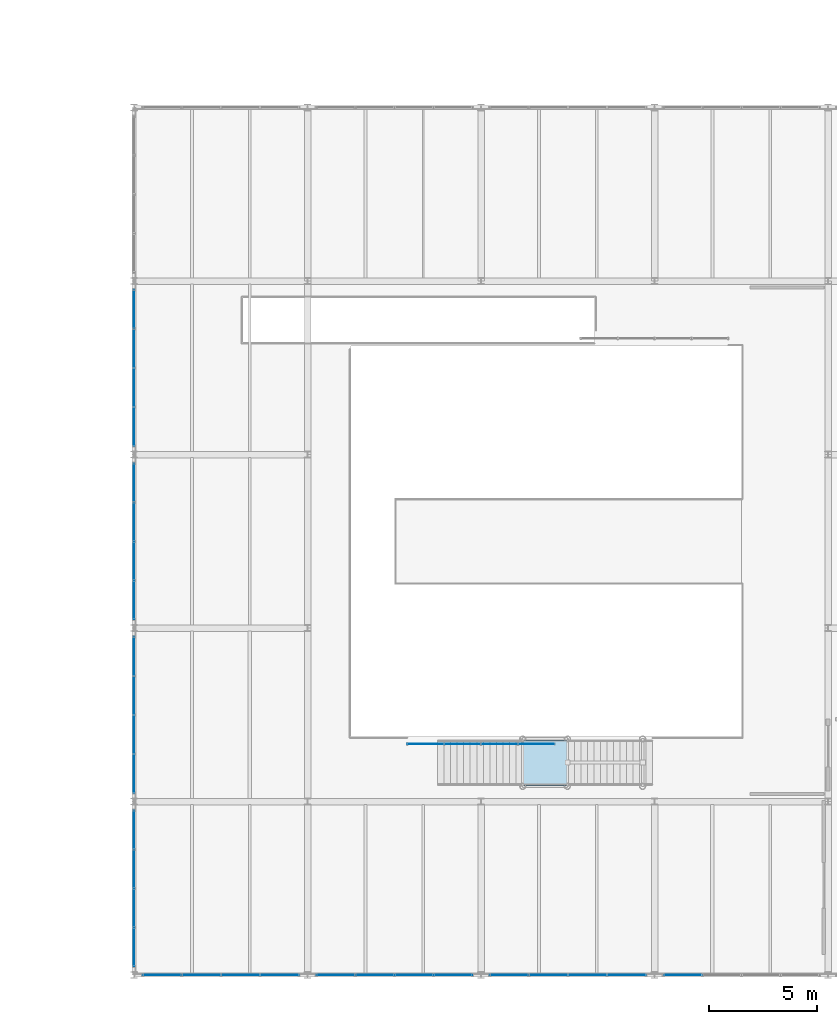
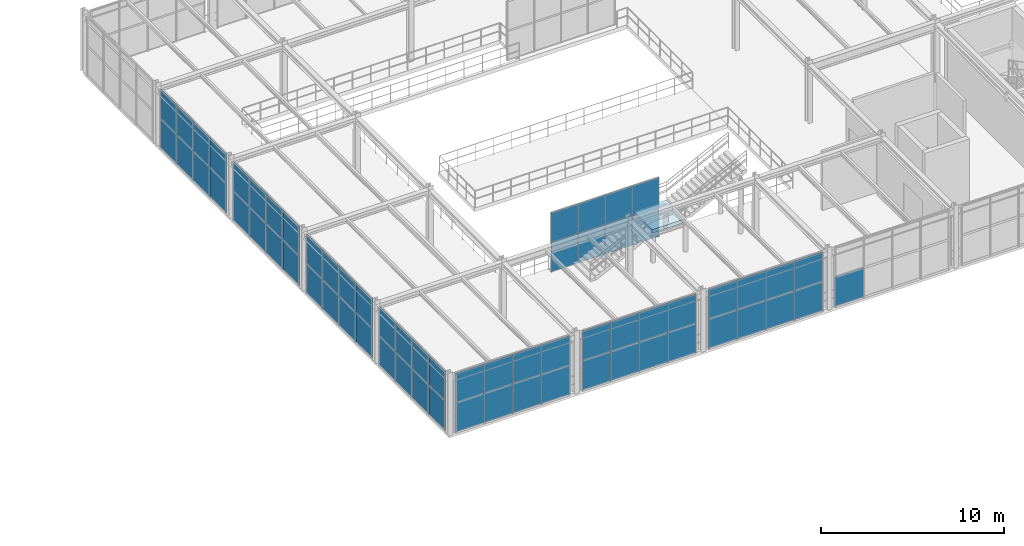
# One storey, part 69 of 124: 65 plates, 1 slab, 10 elements without a shape of their own.
"""IFC4 building model written with IfcOpenShell, lengths in metres."""

from ifc_helpers import new_model, si_unit, direction, frame, origin, origin_2d, place, context, subcontext, project, spatial, polyline, rectangle, outline, extrude, material, layer, layer_set, type_object, element, aggregate, save


model = new_model("IFC4")

# Units and contexts
model_context = context("Model", 3, precision=1e-05, world=origin(), true_north=direction((0.0, 1.0)))
body_context = subcontext(model_context, "Body", "Model", "MODEL_VIEW")
ifc_project = project(units=[si_unit("LENGTHUNIT", "METRE"), si_unit("AREAUNIT", "SQUARE_METRE"), si_unit("VOLUMEUNIT", "CUBIC_METRE"), si_unit("PLANEANGLEUNIT", "RADIAN"), si_unit("MASSUNIT", "GRAM", prefix="KILO")], contexts=[model_context])

# Site, building, storey
site_placement = place(None, origin())
site = spatial("IfcSite", under=ifc_project, at=site_placement, CompositionType="ELEMENT")
building_placement = place(site_placement, origin())
building = spatial("IfcBuilding", under=site, at=building_placement, Name="Sundkrona Museum", CompositionType="ELEMENT")
storey_placement = place(building_placement, frame((0.0, 0.0, 17.60009765625)))
storey = spatial("IfcBuildingStorey", under=building, at=storey_placement, Name="L03", CompositionType="ELEMENT", Elevation=17.60009765625)

# Curtain wall, plates
ifc_material_1 = material(Name="Unitised Aluminium-Steel and Ceramic-Clad Curtain Walling", Category="steel")
curtain_wall_type_1 = type_object("IfcCurtainWallType", Name="CW-AT-72x38", PredefinedType="NOTDEFINED", material=ifc_material_1)
curtain_wall_1_placement = place(storey_placement, origin())
curtain_wall_1 = element("IfcCurtainWall", 1, at=curtain_wall_1_placement, inside=storey, type_object=curtain_wall_type_1, Name="L03 Curtain Wall CW-L03-060", PredefinedType="NOTDEFINED")
ifc_material_2 = material(Name="Triple Low-E Vision Glazing 32 mm", Category="glass")
ifc_layer_1 = layer(ifc_material_2, 0.031982421875)
ifc_layer_set_1 = layer_set([ifc_layer_1], Name="Triple Low-E Vision Glazing 32 mm")
plate_type_1 = type_object("IfcPlateType", Name="PN-GL-01", PredefinedType="CURTAIN_PANEL", material=ifc_layer_set_1)
plate_1_placement = place(storey_placement, frame((81.300048828125, 0.0, -0.004150390625), z_axis=(0.0, 0.0, 1.0), x_axis=(1.0, 0.0, 0.0)))
plate_1 = element("IfcPlate", 2, at=plate_1_placement, type_object=plate_type_1, Name="CW-L03-060 Panel 01", PredefinedType="CURTAIN_PANEL", context=body_context, shape_type="SweptSolid", body=[
    extrude(rectangle(XDim=1.800048828125, YDim=0.031982421875, at=origin_2d()), origin(), (0.0, 0.0, 1.0), 1.97412109375),
])
plate_2_placement = place(storey_placement, frame((81.300048828125, 0.0, 1.9697265625), z_axis=(0.0, 0.0, 1.0), x_axis=(1.0, 0.0, 0.0)))
plate_2 = element("IfcPlate", 3, at=plate_2_placement, type_object=plate_type_1, Name="CW-L03-060 Panel 02", PredefinedType="CURTAIN_PANEL", context=body_context, shape_type="SweptSolid", body=[
    extrude(rectangle(XDim=1.800048828125, YDim=0.031982421875, at=origin_2d()), origin(), (0.0, 0.0, 1.0), 1.97412109375),
])
plate_3_placement = place(storey_placement, frame((83.10009765625, 0.0, -0.004150390625), z_axis=(0.0, 0.0, 1.0), x_axis=(1.0, 0.0, 0.0)))
plate_3 = element("IfcPlate", 4, at=plate_3_placement, type_object=plate_type_1, Name="CW-L03-060 Panel 03", PredefinedType="CURTAIN_PANEL", context=body_context, shape_type="SweptSolid", body=[
    extrude(rectangle(XDim=1.800048828125, YDim=0.031982421875, at=origin_2d()), origin(), (0.0, 0.0, 1.0), 1.97412109375),
])
plate_4_placement = place(storey_placement, frame((83.10009765625, 0.0, 1.9697265625), z_axis=(0.0, 0.0, 1.0), x_axis=(1.0, 0.0, 0.0)))
plate_4 = element("IfcPlate", 5, at=plate_4_placement, type_object=plate_type_1, Name="CW-L03-060 Panel 04", PredefinedType="CURTAIN_PANEL", context=body_context, shape_type="SweptSolid", body=[
    extrude(rectangle(XDim=1.800048828125, YDim=0.031982421875, at=origin_2d()), origin(), (0.0, 0.0, 1.0), 1.97412109375),
])
plate_5_placement = place(storey_placement, frame((84.89990234375, 0.0, -0.004150390625), z_axis=(0.0, 0.0, 1.0), x_axis=(1.0, 0.0, 0.0)))
plate_5 = element("IfcPlate", 6, at=plate_5_placement, type_object=plate_type_1, Name="CW-L03-060 Panel 05", PredefinedType="CURTAIN_PANEL", context=body_context, shape_type="SweptSolid", body=[
    extrude(rectangle(XDim=1.800048828125, YDim=0.031982421875, at=origin_2d()), origin(), (0.0, 0.0, 1.0), 1.97412109375),
])
plate_6_placement = place(storey_placement, frame((84.89990234375, 0.0, 1.9697265625), z_axis=(0.0, 0.0, 1.0), x_axis=(1.0, 0.0, 0.0)))
plate_6 = element("IfcPlate", 7, at=plate_6_placement, type_object=plate_type_1, Name="CW-L03-060 Panel 06", PredefinedType="CURTAIN_PANEL", context=body_context, shape_type="SweptSolid", body=[
    extrude(rectangle(XDim=1.800048828125, YDim=0.031982421875, at=origin_2d()), origin(), (0.0, 0.0, 1.0), 1.97412109375),
])
plate_7_placement = place(storey_placement, frame((86.699951171875, 0.0, -0.004150390625), z_axis=(0.0, 0.0, 1.0), x_axis=(1.0, 0.0, 0.0)))
plate_7 = element("IfcPlate", 8, at=plate_7_placement, type_object=plate_type_1, Name="CW-L03-060 Panel 07", PredefinedType="CURTAIN_PANEL", context=body_context, shape_type="SweptSolid", body=[
    extrude(rectangle(XDim=1.800048828125, YDim=0.031982421875, at=origin_2d()), origin(), (0.0, 0.0, 1.0), 1.97412109375),
])
plate_8_placement = place(storey_placement, frame((86.699951171875, 0.0, 1.9697265625), z_axis=(0.0, 0.0, 1.0), x_axis=(1.0, 0.0, 0.0)))
plate_8 = element("IfcPlate", 9, at=plate_8_placement, type_object=plate_type_1, Name="CW-L03-060 Panel 08", PredefinedType="CURTAIN_PANEL", context=body_context, shape_type="SweptSolid", body=[
    extrude(rectangle(XDim=1.800048828125, YDim=0.031982421875, at=origin_2d()), origin(), (0.0, 0.0, 1.0), 1.97412109375),
])
aggregate(curtain_wall_1, [plate_1, plate_2, plate_3, plate_4, plate_5, plate_6, plate_7, plate_8])

curtain_wall_2_placement = place(storey_placement, origin())
curtain_wall_2 = element("IfcCurtainWall", 10, at=curtain_wall_2_placement, inside=storey, type_object=curtain_wall_type_1, Name="L03 Curtain Wall CW-L03-061", PredefinedType="NOTDEFINED")
plate_9_placement = place(storey_placement, frame((89.300048828125, 0.0, -0.004150390625), z_axis=(0.0, 0.0, 1.0), x_axis=(1.0, 0.0, 0.0)))
plate_9 = element("IfcPlate", 11, at=plate_9_placement, type_object=plate_type_1, Name="CW-L03-061 Panel 01", PredefinedType="CURTAIN_PANEL", context=body_context, shape_type="SweptSolid", body=[
    extrude(rectangle(XDim=1.800048828125, YDim=0.031982421875, at=origin_2d()), origin(), (0.0, 0.0, 1.0), 1.97412109375),
])
plate_10_placement = place(storey_placement, frame((89.300048828125, 0.0, 1.9697265625), z_axis=(0.0, 0.0, 1.0), x_axis=(1.0, 0.0, 0.0)))
plate_10 = element("IfcPlate", 12, at=plate_10_placement, type_object=plate_type_1, Name="CW-L03-061 Panel 02", PredefinedType="CURTAIN_PANEL", context=body_context, shape_type="SweptSolid", body=[
    extrude(rectangle(XDim=1.800048828125, YDim=0.031982421875, at=origin_2d()), origin(), (0.0, 0.0, 1.0), 1.97412109375),
])
plate_11_placement = place(storey_placement, frame((91.10009765625, 0.0, -0.004150390625), z_axis=(0.0, 0.0, 1.0), x_axis=(1.0, 0.0, 0.0)))
plate_11 = element("IfcPlate", 13, at=plate_11_placement, type_object=plate_type_1, Name="CW-L03-061 Panel 03", PredefinedType="CURTAIN_PANEL", context=body_context, shape_type="SweptSolid", body=[
    extrude(rectangle(XDim=1.800048828125, YDim=0.031982421875, at=origin_2d()), origin(), (0.0, 0.0, 1.0), 1.97412109375),
])
plate_12_placement = place(storey_placement, frame((91.10009765625, 0.0, 1.9697265625), z_axis=(0.0, 0.0, 1.0), x_axis=(1.0, 0.0, 0.0)))
plate_12 = element("IfcPlate", 14, at=plate_12_placement, type_object=plate_type_1, Name="CW-L03-061 Panel 04", PredefinedType="CURTAIN_PANEL", context=body_context, shape_type="SweptSolid", body=[
    extrude(rectangle(XDim=1.800048828125, YDim=0.031982421875, at=origin_2d()), origin(), (0.0, 0.0, 1.0), 1.97412109375),
])
plate_13_placement = place(storey_placement, frame((92.89990234375, 0.0, -0.004150390625), z_axis=(0.0, 0.0, 1.0), x_axis=(1.0, 0.0, 0.0)))
plate_13 = element("IfcPlate", 15, at=plate_13_placement, type_object=plate_type_1, Name="CW-L03-061 Panel 05", PredefinedType="CURTAIN_PANEL", context=body_context, shape_type="SweptSolid", body=[
    extrude(rectangle(XDim=1.800048828125, YDim=0.031982421875, at=origin_2d()), origin(), (0.0, 0.0, 1.0), 1.97412109375),
])
plate_14_placement = place(storey_placement, frame((92.89990234375, 0.0, 1.9697265625), z_axis=(0.0, 0.0, 1.0), x_axis=(1.0, 0.0, 0.0)))
plate_14 = element("IfcPlate", 16, at=plate_14_placement, type_object=plate_type_1, Name="CW-L03-061 Panel 06", PredefinedType="CURTAIN_PANEL", context=body_context, shape_type="SweptSolid", body=[
    extrude(rectangle(XDim=1.800048828125, YDim=0.031982421875, at=origin_2d()), origin(), (0.0, 0.0, 1.0), 1.97412109375),
])
plate_15_placement = place(storey_placement, frame((94.699951171875, 0.0, -0.004150390625), z_axis=(0.0, 0.0, 1.0), x_axis=(1.0, 0.0, 0.0)))
plate_15 = element("IfcPlate", 17, at=plate_15_placement, type_object=plate_type_1, Name="CW-L03-061 Panel 07", PredefinedType="CURTAIN_PANEL", context=body_context, shape_type="SweptSolid", body=[
    extrude(rectangle(XDim=1.800048828125, YDim=0.031982421875, at=origin_2d()), origin(), (0.0, 0.0, 1.0), 1.97412109375),
])
plate_16_placement = place(storey_placement, frame((94.699951171875, 0.0, 1.9697265625), z_axis=(0.0, 0.0, 1.0), x_axis=(1.0, 0.0, 0.0)))
plate_16 = element("IfcPlate", 18, at=plate_16_placement, type_object=plate_type_1, Name="CW-L03-061 Panel 08", PredefinedType="CURTAIN_PANEL", context=body_context, shape_type="SweptSolid", body=[
    extrude(rectangle(XDim=1.800048828125, YDim=0.031982421875, at=origin_2d()), origin(), (0.0, 0.0, 1.0), 1.97412109375),
])
aggregate(curtain_wall_2, [plate_9, plate_10, plate_11, plate_12, plate_13, plate_14, plate_15, plate_16])

curtain_wall_3_placement = place(storey_placement, origin())
curtain_wall_3 = element("IfcCurtainWall", 19, at=curtain_wall_3_placement, inside=storey, type_object=curtain_wall_type_1, Name="L03 Curtain Wall CW-L03-062", PredefinedType="NOTDEFINED")
plate_17_placement = place(storey_placement, frame((97.300048828125, 0.0, -0.004150390625), z_axis=(0.0, 0.0, 1.0), x_axis=(1.0, 0.0, 0.0)))
plate_17 = element("IfcPlate", 20, at=plate_17_placement, type_object=plate_type_1, Name="CW-L03-062 Panel 01", PredefinedType="CURTAIN_PANEL", context=body_context, shape_type="SweptSolid", body=[
    extrude(rectangle(XDim=1.800048828125, YDim=0.031982421875, at=origin_2d()), origin(), (0.0, 0.0, 1.0), 1.97412109375),
])
plate_18_placement = place(storey_placement, frame((97.300048828125, 0.0, 1.9697265625), z_axis=(0.0, 0.0, 1.0), x_axis=(1.0, 0.0, 0.0)))
plate_18 = element("IfcPlate", 21, at=plate_18_placement, type_object=plate_type_1, Name="CW-L03-062 Panel 02", PredefinedType="CURTAIN_PANEL", context=body_context, shape_type="SweptSolid", body=[
    extrude(rectangle(XDim=1.800048828125, YDim=0.031982421875, at=origin_2d()), origin(), (0.0, 0.0, 1.0), 1.97412109375),
])
plate_19_placement = place(storey_placement, frame((99.10009765625, 0.0, -0.004150390625), z_axis=(0.0, 0.0, 1.0), x_axis=(1.0, 0.0, 0.0)))
plate_19 = element("IfcPlate", 22, at=plate_19_placement, type_object=plate_type_1, Name="CW-L03-062 Panel 03", PredefinedType="CURTAIN_PANEL", context=body_context, shape_type="SweptSolid", body=[
    extrude(rectangle(XDim=1.800048828125, YDim=0.031982421875, at=origin_2d()), origin(), (0.0, 0.0, 1.0), 1.97412109375),
])
plate_20_placement = place(storey_placement, frame((99.10009765625, 0.0, 1.9697265625), z_axis=(0.0, 0.0, 1.0), x_axis=(1.0, 0.0, 0.0)))
plate_20 = element("IfcPlate", 23, at=plate_20_placement, type_object=plate_type_1, Name="CW-L03-062 Panel 04", PredefinedType="CURTAIN_PANEL", context=body_context, shape_type="SweptSolid", body=[
    extrude(rectangle(XDim=1.800048828125, YDim=0.031982421875, at=origin_2d()), origin(), (0.0, 0.0, 1.0), 1.97412109375),
])
plate_21_placement = place(storey_placement, frame((100.89990234375, 0.0, -0.004150390625), z_axis=(0.0, 0.0, 1.0), x_axis=(1.0, 0.0, 0.0)))
plate_21 = element("IfcPlate", 24, at=plate_21_placement, type_object=plate_type_1, Name="CW-L03-062 Panel 05", PredefinedType="CURTAIN_PANEL", context=body_context, shape_type="SweptSolid", body=[
    extrude(rectangle(XDim=1.800048828125, YDim=0.031982421875, at=origin_2d()), origin(), (0.0, 0.0, 1.0), 1.97412109375),
])
plate_22_placement = place(storey_placement, frame((100.89990234375, 0.0, 1.9697265625), z_axis=(0.0, 0.0, 1.0), x_axis=(1.0, 0.0, 0.0)))
plate_22 = element("IfcPlate", 25, at=plate_22_placement, type_object=plate_type_1, Name="CW-L03-062 Panel 06", PredefinedType="CURTAIN_PANEL", context=body_context, shape_type="SweptSolid", body=[
    extrude(rectangle(XDim=1.800048828125, YDim=0.031982421875, at=origin_2d()), origin(), (0.0, 0.0, 1.0), 1.97412109375),
])
plate_23_placement = place(storey_placement, frame((102.699951171875, 0.0, -0.004150390625), z_axis=(0.0, 0.0, 1.0), x_axis=(1.0, 0.0, 0.0)))
plate_23 = element("IfcPlate", 26, at=plate_23_placement, type_object=plate_type_1, Name="CW-L03-062 Panel 07", PredefinedType="CURTAIN_PANEL", context=body_context, shape_type="SweptSolid", body=[
    extrude(rectangle(XDim=1.800048828125, YDim=0.031982421875, at=origin_2d()), origin(), (0.0, 0.0, 1.0), 1.97412109375),
])
plate_24_placement = place(storey_placement, frame((102.699951171875, 0.0, 1.9697265625), z_axis=(0.0, 0.0, 1.0), x_axis=(1.0, 0.0, 0.0)))
plate_24 = element("IfcPlate", 27, at=plate_24_placement, type_object=plate_type_1, Name="CW-L03-062 Panel 08", PredefinedType="CURTAIN_PANEL", context=body_context, shape_type="SweptSolid", body=[
    extrude(rectangle(XDim=1.800048828125, YDim=0.031982421875, at=origin_2d()), origin(), (0.0, 0.0, 1.0), 1.97412109375),
])
aggregate(curtain_wall_3, [plate_17, plate_18, plate_19, plate_20, plate_21, plate_22, plate_23, plate_24])

# Curtain wall, plate
curtain_wall_4_placement = place(storey_placement, origin())
curtain_wall_4 = element("IfcCurtainWall", 28, at=curtain_wall_4_placement, inside=storey, type_object=curtain_wall_type_1, Name="L03 Curtain Wall CW-L03-063", PredefinedType="NOTDEFINED")
plate_25_placement = place(storey_placement, frame((105.300048828125, 0.0, -0.004150390625), z_axis=(0.0, 0.0, 1.0), x_axis=(1.0, 0.0, 0.0)))
plate_25 = element("IfcPlate", 29, at=plate_25_placement, type_object=plate_type_1, Name="CW-L03-063 Panel 01", PredefinedType="CURTAIN_PANEL", context=body_context, shape_type="SweptSolid", body=[
    extrude(rectangle(XDim=1.800048828125, YDim=0.031982421875, at=origin_2d()), origin(), (0.0, 0.0, 1.0), 1.97412109375),
])
aggregate(curtain_wall_4, [plate_25])

# Curtain wall, plates
curtain_wall_5_placement = place(storey_placement, origin())
curtain_wall_5 = element("IfcCurtainWall", 30, at=curtain_wall_5_placement, inside=storey, type_object=curtain_wall_type_1, Name="L03 Curtain Wall CW-L03-065", PredefinedType="NOTDEFINED")
plate_26_placement = place(storey_placement, frame((80.0, 1.300048828125, -0.004150390625), z_axis=(0.0, 0.0, 1.0), x_axis=(0.0, 1.0, 0.0)))
plate_26 = element("IfcPlate", 31, at=plate_26_placement, type_object=plate_type_1, Name="CW-L03-065 Panel 01", PredefinedType="CURTAIN_PANEL", context=body_context, shape_type="SweptSolid", body=[
    extrude(rectangle(XDim=1.800048828125, YDim=0.031982421875, at=origin_2d()), origin(), (0.0, 0.0, 1.0), 1.97412109375),
])
plate_27_placement = place(storey_placement, frame((80.0, 1.300048828125, 1.9697265625), z_axis=(0.0, 0.0, 1.0), x_axis=(0.0, 1.0, 0.0)))
plate_27 = element("IfcPlate", 32, at=plate_27_placement, type_object=plate_type_1, Name="CW-L03-065 Panel 02", PredefinedType="CURTAIN_PANEL", context=body_context, shape_type="SweptSolid", body=[
    extrude(rectangle(XDim=1.800048828125, YDim=0.031982421875, at=origin_2d()), origin(), (0.0, 0.0, 1.0), 1.97412109375),
])
plate_28_placement = place(storey_placement, frame((80.0, 3.10009765625, -0.004150390625), z_axis=(0.0, 0.0, 1.0), x_axis=(0.0, 1.0, 0.0)))
plate_28 = element("IfcPlate", 33, at=plate_28_placement, type_object=plate_type_1, Name="CW-L03-065 Panel 03", PredefinedType="CURTAIN_PANEL", context=body_context, shape_type="SweptSolid", body=[
    extrude(rectangle(XDim=1.800048828125, YDim=0.031982421875, at=origin_2d()), origin(), (0.0, 0.0, 1.0), 1.97412109375),
])
plate_29_placement = place(storey_placement, frame((80.0, 3.10009765625, 1.9697265625), z_axis=(0.0, 0.0, 1.0), x_axis=(0.0, 1.0, 0.0)))
plate_29 = element("IfcPlate", 34, at=plate_29_placement, type_object=plate_type_1, Name="CW-L03-065 Panel 04", PredefinedType="CURTAIN_PANEL", context=body_context, shape_type="SweptSolid", body=[
    extrude(rectangle(XDim=1.800048828125, YDim=0.031982421875, at=origin_2d()), origin(), (0.0, 0.0, 1.0), 1.97412109375),
])
plate_30_placement = place(storey_placement, frame((80.0, 4.89990234375, -0.004150390625), z_axis=(0.0, 0.0, 1.0), x_axis=(0.0, 1.0, 0.0)))
plate_30 = element("IfcPlate", 35, at=plate_30_placement, type_object=plate_type_1, Name="CW-L03-065 Panel 05", PredefinedType="CURTAIN_PANEL", context=body_context, shape_type="SweptSolid", body=[
    extrude(rectangle(XDim=1.800048828125, YDim=0.031982421875, at=origin_2d()), origin(), (0.0, 0.0, 1.0), 1.97412109375),
])
plate_31_placement = place(storey_placement, frame((80.0, 4.89990234375, 1.9697265625), z_axis=(0.0, 0.0, 1.0), x_axis=(0.0, 1.0, 0.0)))
plate_31 = element("IfcPlate", 36, at=plate_31_placement, type_object=plate_type_1, Name="CW-L03-065 Panel 06", PredefinedType="CURTAIN_PANEL", context=body_context, shape_type="SweptSolid", body=[
    extrude(rectangle(XDim=1.800048828125, YDim=0.031982421875, at=origin_2d()), origin(), (0.0, 0.0, 1.0), 1.97412109375),
])
plate_32_placement = place(storey_placement, frame((80.0, 6.699951171875, -0.004150390625), z_axis=(0.0, 0.0, 1.0), x_axis=(0.0, 1.0, 0.0)))
plate_32 = element("IfcPlate", 37, at=plate_32_placement, type_object=plate_type_1, Name="CW-L03-065 Panel 07", PredefinedType="CURTAIN_PANEL", context=body_context, shape_type="SweptSolid", body=[
    extrude(rectangle(XDim=1.800048828125, YDim=0.031982421875, at=origin_2d()), origin(), (0.0, 0.0, 1.0), 1.97412109375),
])
plate_33_placement = place(storey_placement, frame((80.0, 6.699951171875, 1.9697265625), z_axis=(0.0, 0.0, 1.0), x_axis=(0.0, 1.0, 0.0)))
plate_33 = element("IfcPlate", 38, at=plate_33_placement, type_object=plate_type_1, Name="CW-L03-065 Panel 08", PredefinedType="CURTAIN_PANEL", context=body_context, shape_type="SweptSolid", body=[
    extrude(rectangle(XDim=1.800048828125, YDim=0.031982421875, at=origin_2d()), origin(), (0.0, 0.0, 1.0), 1.97412109375),
])
aggregate(curtain_wall_5, [plate_26, plate_27, plate_28, plate_29, plate_30, plate_31, plate_32, plate_33])

curtain_wall_6_placement = place(storey_placement, origin())
curtain_wall_6 = element("IfcCurtainWall", 39, at=curtain_wall_6_placement, inside=storey, type_object=curtain_wall_type_1, Name="L03 Curtain Wall CW-L03-066", PredefinedType="NOTDEFINED")
plate_34_placement = place(storey_placement, frame((80.0, 9.300048828125, -0.004150390625), z_axis=(0.0, 0.0, 1.0), x_axis=(0.0, 1.0, 0.0)))
plate_34 = element("IfcPlate", 40, at=plate_34_placement, type_object=plate_type_1, Name="CW-L03-066 Panel 01", PredefinedType="CURTAIN_PANEL", context=body_context, shape_type="SweptSolid", body=[
    extrude(rectangle(XDim=1.800048828125, YDim=0.031982421875, at=origin_2d()), origin(), (0.0, 0.0, 1.0), 1.97412109375),
])
plate_35_placement = place(storey_placement, frame((80.0, 9.300048828125, 1.9697265625), z_axis=(0.0, 0.0, 1.0), x_axis=(0.0, 1.0, 0.0)))
plate_35 = element("IfcPlate", 41, at=plate_35_placement, type_object=plate_type_1, Name="CW-L03-066 Panel 02", PredefinedType="CURTAIN_PANEL", context=body_context, shape_type="SweptSolid", body=[
    extrude(rectangle(XDim=1.800048828125, YDim=0.031982421875, at=origin_2d()), origin(), (0.0, 0.0, 1.0), 1.97412109375),
])
plate_36_placement = place(storey_placement, frame((80.0, 11.10009765625, -0.004150390625), z_axis=(0.0, 0.0, 1.0), x_axis=(0.0, 1.0, 0.0)))
plate_36 = element("IfcPlate", 42, at=plate_36_placement, type_object=plate_type_1, Name="CW-L03-066 Panel 03", PredefinedType="CURTAIN_PANEL", context=body_context, shape_type="SweptSolid", body=[
    extrude(rectangle(XDim=1.800048828125, YDim=0.031982421875, at=origin_2d()), origin(), (0.0, 0.0, 1.0), 1.97412109375),
])
plate_37_placement = place(storey_placement, frame((80.0, 11.10009765625, 1.9697265625), z_axis=(0.0, 0.0, 1.0), x_axis=(0.0, 1.0, 0.0)))
plate_37 = element("IfcPlate", 43, at=plate_37_placement, type_object=plate_type_1, Name="CW-L03-066 Panel 04", PredefinedType="CURTAIN_PANEL", context=body_context, shape_type="SweptSolid", body=[
    extrude(rectangle(XDim=1.800048828125, YDim=0.031982421875, at=origin_2d()), origin(), (0.0, 0.0, 1.0), 1.97412109375),
])
plate_38_placement = place(storey_placement, frame((80.0, 12.89990234375, -0.004150390625), z_axis=(0.0, 0.0, 1.0), x_axis=(0.0, 1.0, 0.0)))
plate_38 = element("IfcPlate", 44, at=plate_38_placement, type_object=plate_type_1, Name="CW-L03-066 Panel 05", PredefinedType="CURTAIN_PANEL", context=body_context, shape_type="SweptSolid", body=[
    extrude(rectangle(XDim=1.800048828125, YDim=0.031982421875, at=origin_2d()), origin(), (0.0, 0.0, 1.0), 1.97412109375),
])
plate_39_placement = place(storey_placement, frame((80.0, 12.89990234375, 1.9697265625), z_axis=(0.0, 0.0, 1.0), x_axis=(0.0, 1.0, 0.0)))
plate_39 = element("IfcPlate", 45, at=plate_39_placement, type_object=plate_type_1, Name="CW-L03-066 Panel 06", PredefinedType="CURTAIN_PANEL", context=body_context, shape_type="SweptSolid", body=[
    extrude(rectangle(XDim=1.800048828125, YDim=0.031982421875, at=origin_2d()), origin(), (0.0, 0.0, 1.0), 1.97412109375),
])
plate_40_placement = place(storey_placement, frame((80.0, 14.699951171875, -0.004150390625), z_axis=(0.0, 0.0, 1.0), x_axis=(0.0, 1.0, 0.0)))
plate_40 = element("IfcPlate", 46, at=plate_40_placement, type_object=plate_type_1, Name="CW-L03-066 Panel 07", PredefinedType="CURTAIN_PANEL", context=body_context, shape_type="SweptSolid", body=[
    extrude(rectangle(XDim=1.800048828125, YDim=0.031982421875, at=origin_2d()), origin(), (0.0, 0.0, 1.0), 1.97412109375),
])
plate_41_placement = place(storey_placement, frame((80.0, 14.699951171875, 1.9697265625), z_axis=(0.0, 0.0, 1.0), x_axis=(0.0, 1.0, 0.0)))
plate_41 = element("IfcPlate", 47, at=plate_41_placement, type_object=plate_type_1, Name="CW-L03-066 Panel 08", PredefinedType="CURTAIN_PANEL", context=body_context, shape_type="SweptSolid", body=[
    extrude(rectangle(XDim=1.800048828125, YDim=0.031982421875, at=origin_2d()), origin(), (0.0, 0.0, 1.0), 1.97412109375),
])
aggregate(curtain_wall_6, [plate_34, plate_35, plate_36, plate_37, plate_38, plate_39, plate_40, plate_41])

curtain_wall_7_placement = place(storey_placement, origin())
curtain_wall_7 = element("IfcCurtainWall", 48, at=curtain_wall_7_placement, inside=storey, type_object=curtain_wall_type_1, Name="L03 Curtain Wall CW-L03-067", PredefinedType="NOTDEFINED")
plate_42_placement = place(storey_placement, frame((80.0, 17.300048828125, -0.004150390625), z_axis=(0.0, 0.0, 1.0), x_axis=(0.0, 1.0, 0.0)))
plate_42 = element("IfcPlate", 49, at=plate_42_placement, type_object=plate_type_1, Name="CW-L03-067 Panel 01", PredefinedType="CURTAIN_PANEL", context=body_context, shape_type="SweptSolid", body=[
    extrude(rectangle(XDim=1.800048828125, YDim=0.031982421875, at=origin_2d()), origin(), (0.0, 0.0, 1.0), 1.97412109375),
])
plate_43_placement = place(storey_placement, frame((80.0, 17.300048828125, 1.9697265625), z_axis=(0.0, 0.0, 1.0), x_axis=(0.0, 1.0, 0.0)))
plate_43 = element("IfcPlate", 50, at=plate_43_placement, type_object=plate_type_1, Name="CW-L03-067 Panel 02", PredefinedType="CURTAIN_PANEL", context=body_context, shape_type="SweptSolid", body=[
    extrude(rectangle(XDim=1.800048828125, YDim=0.031982421875, at=origin_2d()), origin(), (0.0, 0.0, 1.0), 1.97412109375),
])
plate_44_placement = place(storey_placement, frame((80.0, 19.10009765625, -0.004150390625), z_axis=(0.0, 0.0, 1.0), x_axis=(0.0, 1.0, 0.0)))
plate_44 = element("IfcPlate", 51, at=plate_44_placement, type_object=plate_type_1, Name="CW-L03-067 Panel 03", PredefinedType="CURTAIN_PANEL", context=body_context, shape_type="SweptSolid", body=[
    extrude(rectangle(XDim=1.800048828125, YDim=0.031982421875, at=origin_2d()), origin(), (0.0, 0.0, 1.0), 1.97412109375),
])
plate_45_placement = place(storey_placement, frame((80.0, 19.10009765625, 1.9697265625), z_axis=(0.0, 0.0, 1.0), x_axis=(0.0, 1.0, 0.0)))
plate_45 = element("IfcPlate", 52, at=plate_45_placement, type_object=plate_type_1, Name="CW-L03-067 Panel 04", PredefinedType="CURTAIN_PANEL", context=body_context, shape_type="SweptSolid", body=[
    extrude(rectangle(XDim=1.800048828125, YDim=0.031982421875, at=origin_2d()), origin(), (0.0, 0.0, 1.0), 1.97412109375),
])
plate_46_placement = place(storey_placement, frame((80.0, 20.89990234375, -0.004150390625), z_axis=(0.0, 0.0, 1.0), x_axis=(0.0, 1.0, 0.0)))
plate_46 = element("IfcPlate", 53, at=plate_46_placement, type_object=plate_type_1, Name="CW-L03-067 Panel 05", PredefinedType="CURTAIN_PANEL", context=body_context, shape_type="SweptSolid", body=[
    extrude(rectangle(XDim=1.800048828125, YDim=0.031982421875, at=origin_2d()), origin(), (0.0, 0.0, 1.0), 1.97412109375),
])
plate_47_placement = place(storey_placement, frame((80.0, 20.89990234375, 1.9697265625), z_axis=(0.0, 0.0, 1.0), x_axis=(0.0, 1.0, 0.0)))
plate_47 = element("IfcPlate", 54, at=plate_47_placement, type_object=plate_type_1, Name="CW-L03-067 Panel 06", PredefinedType="CURTAIN_PANEL", context=body_context, shape_type="SweptSolid", body=[
    extrude(rectangle(XDim=1.800048828125, YDim=0.031982421875, at=origin_2d()), origin(), (0.0, 0.0, 1.0), 1.97412109375),
])
plate_48_placement = place(storey_placement, frame((80.0, 22.699951171875, -0.004150390625), z_axis=(0.0, 0.0, 1.0), x_axis=(0.0, 1.0, 0.0)))
plate_48 = element("IfcPlate", 55, at=plate_48_placement, type_object=plate_type_1, Name="CW-L03-067 Panel 07", PredefinedType="CURTAIN_PANEL", context=body_context, shape_type="SweptSolid", body=[
    extrude(rectangle(XDim=1.800048828125, YDim=0.031982421875, at=origin_2d()), origin(), (0.0, 0.0, 1.0), 1.97412109375),
])
plate_49_placement = place(storey_placement, frame((80.0, 22.699951171875, 1.9697265625), z_axis=(0.0, 0.0, 1.0), x_axis=(0.0, 1.0, 0.0)))
plate_49 = element("IfcPlate", 56, at=plate_49_placement, type_object=plate_type_1, Name="CW-L03-067 Panel 08", PredefinedType="CURTAIN_PANEL", context=body_context, shape_type="SweptSolid", body=[
    extrude(rectangle(XDim=1.800048828125, YDim=0.031982421875, at=origin_2d()), origin(), (0.0, 0.0, 1.0), 1.97412109375),
])
aggregate(curtain_wall_7, [plate_42, plate_43, plate_44, plate_45, plate_46, plate_47, plate_48, plate_49])

curtain_wall_8_placement = place(storey_placement, origin())
curtain_wall_8 = element("IfcCurtainWall", 57, at=curtain_wall_8_placement, inside=storey, type_object=curtain_wall_type_1, Name="L03 Curtain Wall CW-L03-068", PredefinedType="NOTDEFINED")
plate_50_placement = place(storey_placement, frame((80.0, 25.300048828125, -0.004150390625), z_axis=(0.0, 0.0, 1.0), x_axis=(0.0, 1.0, 0.0)))
plate_50 = element("IfcPlate", 58, at=plate_50_placement, type_object=plate_type_1, Name="CW-L03-068 Panel 01", PredefinedType="CURTAIN_PANEL", context=body_context, shape_type="SweptSolid", body=[
    extrude(rectangle(XDim=1.800048828125, YDim=0.031982421875, at=origin_2d()), origin(), (0.0, 0.0, 1.0), 1.97412109375),
])
plate_51_placement = place(storey_placement, frame((80.0, 25.300048828125, 1.9697265625), z_axis=(0.0, 0.0, 1.0), x_axis=(0.0, 1.0, 0.0)))
plate_51 = element("IfcPlate", 59, at=plate_51_placement, type_object=plate_type_1, Name="CW-L03-068 Panel 02", PredefinedType="CURTAIN_PANEL", context=body_context, shape_type="SweptSolid", body=[
    extrude(rectangle(XDim=1.800048828125, YDim=0.031982421875, at=origin_2d()), origin(), (0.0, 0.0, 1.0), 1.97412109375),
])
plate_52_placement = place(storey_placement, frame((80.0, 27.10009765625, -0.004150390625), z_axis=(0.0, 0.0, 1.0), x_axis=(0.0, 1.0, 0.0)))
plate_52 = element("IfcPlate", 60, at=plate_52_placement, type_object=plate_type_1, Name="CW-L03-068 Panel 03", PredefinedType="CURTAIN_PANEL", context=body_context, shape_type="SweptSolid", body=[
    extrude(rectangle(XDim=1.800048828125, YDim=0.031982421875, at=origin_2d()), origin(), (0.0, 0.0, 1.0), 1.97412109375),
])
plate_53_placement = place(storey_placement, frame((80.0, 27.10009765625, 1.9697265625), z_axis=(0.0, 0.0, 1.0), x_axis=(0.0, 1.0, 0.0)))
plate_53 = element("IfcPlate", 61, at=plate_53_placement, type_object=plate_type_1, Name="CW-L03-068 Panel 04", PredefinedType="CURTAIN_PANEL", context=body_context, shape_type="SweptSolid", body=[
    extrude(rectangle(XDim=1.800048828125, YDim=0.031982421875, at=origin_2d()), origin(), (0.0, 0.0, 1.0), 1.97412109375),
])
plate_54_placement = place(storey_placement, frame((80.0, 28.89990234375, -0.004150390625), z_axis=(0.0, 0.0, 1.0), x_axis=(0.0, 1.0, 0.0)))
plate_54 = element("IfcPlate", 62, at=plate_54_placement, type_object=plate_type_1, Name="CW-L03-068 Panel 05", PredefinedType="CURTAIN_PANEL", context=body_context, shape_type="SweptSolid", body=[
    extrude(rectangle(XDim=1.800048828125, YDim=0.031982421875, at=origin_2d()), origin(), (0.0, 0.0, 1.0), 1.97412109375),
])
plate_55_placement = place(storey_placement, frame((80.0, 28.89990234375, 1.9697265625), z_axis=(0.0, 0.0, 1.0), x_axis=(0.0, 1.0, 0.0)))
plate_55 = element("IfcPlate", 63, at=plate_55_placement, type_object=plate_type_1, Name="CW-L03-068 Panel 06", PredefinedType="CURTAIN_PANEL", context=body_context, shape_type="SweptSolid", body=[
    extrude(rectangle(XDim=1.800048828125, YDim=0.031982421875, at=origin_2d()), origin(), (0.0, 0.0, 1.0), 1.97412109375),
])
plate_56_placement = place(storey_placement, frame((80.0, 30.699951171875, -0.004150390625), z_axis=(0.0, 0.0, 1.0), x_axis=(0.0, 1.0, 0.0)))
plate_56 = element("IfcPlate", 64, at=plate_56_placement, type_object=plate_type_1, Name="CW-L03-068 Panel 07", PredefinedType="CURTAIN_PANEL", context=body_context, shape_type="SweptSolid", body=[
    extrude(rectangle(XDim=1.800048828125, YDim=0.031982421875, at=origin_2d()), origin(), (0.0, 0.0, 1.0), 1.97412109375),
])
plate_57_placement = place(storey_placement, frame((80.0, 30.699951171875, 1.9697265625), z_axis=(0.0, 0.0, 1.0), x_axis=(0.0, 1.0, 0.0)))
plate_57 = element("IfcPlate", 65, at=plate_57_placement, type_object=plate_type_1, Name="CW-L03-068 Panel 08", PredefinedType="CURTAIN_PANEL", context=body_context, shape_type="SweptSolid", body=[
    extrude(rectangle(XDim=1.800048828125, YDim=0.031982421875, at=origin_2d()), origin(), (0.0, 0.0, 1.0), 1.97412109375),
])
aggregate(curtain_wall_8, [plate_50, plate_51, plate_52, plate_53, plate_54, plate_55, plate_56, plate_57])

curtain_wall_type_2 = type_object("IfcCurtainWallType", Name="CW-IN-68x36", PredefinedType="NOTDEFINED", material=ifc_material_1)
curtain_wall_9_placement = place(storey_placement, origin())
curtain_wall_9 = element("IfcCurtainWall", 66, at=curtain_wall_9_placement, inside=storey, type_object=curtain_wall_type_2, Name="L03 Curtain Wall CW-L03-075", PredefinedType="NOTDEFINED")
ifc_material_3 = material(Name="Tempered Laminated Fire Glass 32 mm", Category="glass")
ifc_layer_2 = layer(ifc_material_3, 0.031982421875)
ifc_layer_set_2 = layer_set([ifc_layer_2], Name="Tempered Laminated Fire Glass 32 mm")
plate_type_2 = type_object("IfcPlateType", Name="PN-IN-01", PredefinedType="CURTAIN_PANEL", material=ifc_layer_set_2)
plate_58_placement = place(storey_placement, frame((93.449951171875, 10.64990234375, -0.004150390625), z_axis=(0.0, 0.0, 1.0), x_axis=(1.0, 0.0, 0.0)))
plate_58 = element("IfcPlate", 67, at=plate_58_placement, type_object=plate_type_2, Name="CW-L03-075 Panel 01", PredefinedType="CURTAIN_PANEL", context=body_context, shape_type="SweptSolid", body=[
    extrude(rectangle(XDim=1.699951171875, YDim=0.031982421875, at=origin_2d()), origin(), (0.0, 0.0, 1.0), 1.97412109375),
])
plate_59_placement = place(storey_placement, frame((93.449951171875, 10.64990234375, 1.9697265625), z_axis=(0.0, 0.0, 1.0), x_axis=(1.0, 0.0, 0.0)))
plate_59 = element("IfcPlate", 68, at=plate_59_placement, type_object=plate_type_2, Name="CW-L03-075 Panel 02", PredefinedType="CURTAIN_PANEL", context=body_context, shape_type="SweptSolid", body=[
    extrude(rectangle(XDim=1.699951171875, YDim=0.031982421875, at=origin_2d()), origin(), (0.0, 0.0, 1.0), 1.97412109375),
])
plate_60_placement = place(storey_placement, frame((95.14990234375, 10.64990234375, -0.004150390625), z_axis=(0.0, 0.0, 1.0), x_axis=(1.0, 0.0, 0.0)))
plate_60 = element("IfcPlate", 69, at=plate_60_placement, type_object=plate_type_2, Name="CW-L03-075 Panel 03", PredefinedType="CURTAIN_PANEL", context=body_context, shape_type="SweptSolid", body=[
    extrude(rectangle(XDim=1.699951171875, YDim=0.031982421875, at=origin_2d()), origin(), (0.0, 0.0, 1.0), 1.97412109375),
])
plate_61_placement = place(storey_placement, frame((95.14990234375, 10.64990234375, 1.9697265625), z_axis=(0.0, 0.0, 1.0), x_axis=(1.0, 0.0, 0.0)))
plate_61 = element("IfcPlate", 70, at=plate_61_placement, type_object=plate_type_2, Name="CW-L03-075 Panel 04", PredefinedType="CURTAIN_PANEL", context=body_context, shape_type="SweptSolid", body=[
    extrude(rectangle(XDim=1.699951171875, YDim=0.031982421875, at=origin_2d()), origin(), (0.0, 0.0, 1.0), 1.97412109375),
])
plate_62_placement = place(storey_placement, frame((96.85009765625, 10.64990234375, -0.004150390625), z_axis=(0.0, 0.0, 1.0), x_axis=(1.0, 0.0, 0.0)))
plate_62 = element("IfcPlate", 71, at=plate_62_placement, type_object=plate_type_2, Name="CW-L03-075 Panel 05", PredefinedType="CURTAIN_PANEL", context=body_context, shape_type="SweptSolid", body=[
    extrude(rectangle(XDim=1.699951171875, YDim=0.031982421875, at=origin_2d()), origin(), (0.0, 0.0, 1.0), 1.97412109375),
])
plate_63_placement = place(storey_placement, frame((96.85009765625, 10.64990234375, 1.9697265625), z_axis=(0.0, 0.0, 1.0), x_axis=(1.0, 0.0, 0.0)))
plate_63 = element("IfcPlate", 72, at=plate_63_placement, type_object=plate_type_2, Name="CW-L03-075 Panel 06", PredefinedType="CURTAIN_PANEL", context=body_context, shape_type="SweptSolid", body=[
    extrude(rectangle(XDim=1.699951171875, YDim=0.031982421875, at=origin_2d()), origin(), (0.0, 0.0, 1.0), 1.97412109375),
])
plate_64_placement = place(storey_placement, frame((98.550048828125, 10.64990234375, -0.004150390625), z_axis=(0.0, 0.0, 1.0), x_axis=(1.0, 0.0, 0.0)))
plate_64 = element("IfcPlate", 73, at=plate_64_placement, type_object=plate_type_2, Name="CW-L03-075 Panel 07", PredefinedType="CURTAIN_PANEL", context=body_context, shape_type="SweptSolid", body=[
    extrude(rectangle(XDim=1.699951171875, YDim=0.031982421875, at=origin_2d()), origin(), (0.0, 0.0, 1.0), 1.97412109375),
])
plate_65_placement = place(storey_placement, frame((98.550048828125, 10.64990234375, 1.9697265625), z_axis=(0.0, 0.0, 1.0), x_axis=(1.0, 0.0, 0.0)))
plate_65 = element("IfcPlate", 74, at=plate_65_placement, type_object=plate_type_2, Name="CW-L03-075 Panel 08", PredefinedType="CURTAIN_PANEL", context=body_context, shape_type="SweptSolid", body=[
    extrude(rectangle(XDim=1.699951171875, YDim=0.031982421875, at=origin_2d()), origin(), (0.0, 0.0, 1.0), 1.97412109375),
])
aggregate(curtain_wall_9, [plate_58, plate_59, plate_60, plate_61, plate_62, plate_63, plate_64, plate_65])

# Stair, slab
ifc_material_4 = material(Name="Steel S355J2 and Terrazzo Treads", Category="steel")
stair_type = type_object("IfcStairType", Name="ST-FS-420", PredefinedType="STRAIGHT_RUN_STAIR", material=ifc_material_4)
stair_placement = place(storey_placement, origin())
stair = element("IfcStair", 75, at=stair_placement, inside=storey, type_object=stair_type, Name="L03 Feature Stair FS-4", PredefinedType="STRAIGHT_RUN_STAIR")
ifc_material_5 = material(Name="Concrete C35/45", Category="concrete")
ifc_layer_3 = layer(ifc_material_5, 0.219970703125)
ifc_layer_set_3 = layer_set([ifc_layer_3], Name="Concrete C35/45")
slab_type = type_object("IfcSlabType", Name="SL-LN-220", PredefinedType="LANDING", material=ifc_layer_set_3)
slab_placement = place(storey_placement, frame((0.0, 0.0, 1.8798828125)))
slab = element("IfcSlab", 76, at=slab_placement, type_object=slab_type, Name="L03 Feature Stair FS-4 Landing 1", PredefinedType="LANDING", context=body_context, shape_type="SweptSolid", body=[
    extrude(outline(polyline([(97.89990234375, 8.75), (100.0, 8.75), (100.0, 10.85009765625), (97.89990234375, 10.85009765625), (97.89990234375, 8.75)])), origin(), (0.0, 0.0, 1.0), 0.219970703125),
])
aggregate(stair, [slab])

save(model, "model.ifc")
